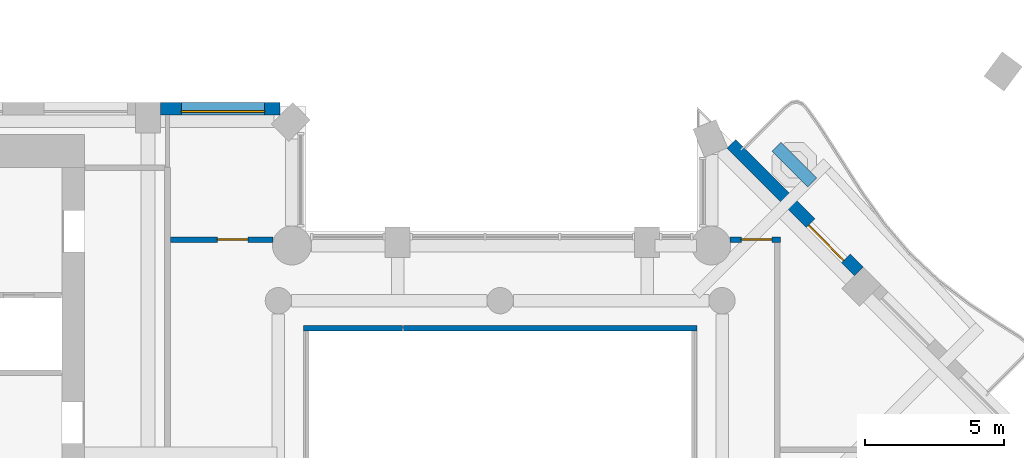
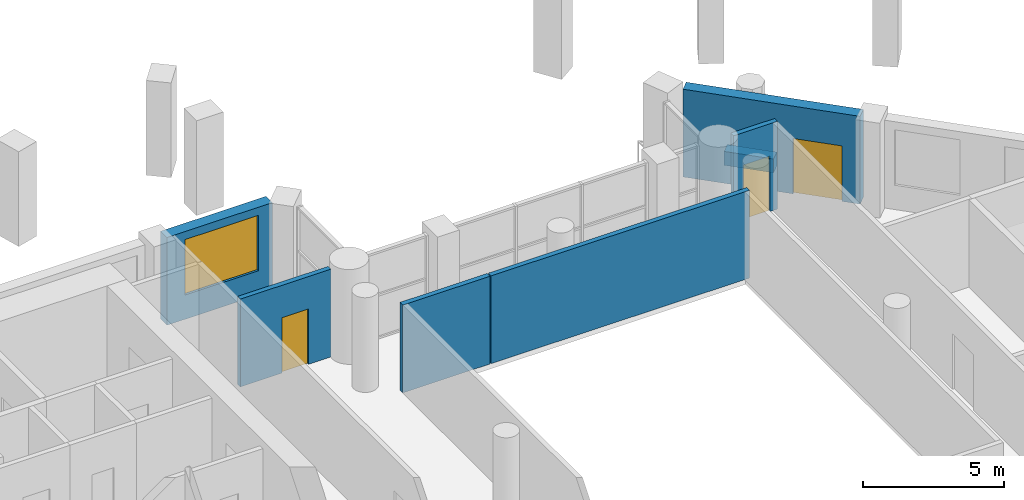
# One storey, part 7 of 15: 7 walls, 3 doors, 1 window, 4 openings.
"""IFC4 building model written with IfcOpenShell, lengths in metres."""

import ifcopenshell
import ifcopenshell.guid

model = None  # the IFC model being written
_history = None  # IfcOwnerHistory: only IFC2X3 demands one
_inside = {}  # id of a spatial element -> (the spatial element, [elements in it])
_under = {}  # id of a project, library or spatial element -> (it, [spatial elements below it])
_declared = {}  # id of a project -> (the project, [libraries it declares])
_typed = {}  # id of a type object -> (the type object, [elements of that type])
_made_of = {}  # id of a material, layer set ... -> (it, [elements and type objects made of it])


def new_model(schema):
    """Start an empty IFC model of exactly this schema.

    Asked for "IFC4X3", IfcOpenShell would pick the latest addendum, in which some entities
    have other attributes; the version numbers below select the first issue.
    IFC2X3 requires an IfcOwnerHistory on every rooted entity: one is made here for all.
    """
    global model, _history
    if schema == "IFC4X3":
        model = ifcopenshell.file(schema_version=(4, 3, 0, 0))
    else:
        model = ifcopenshell.file(schema=schema)
    _inside.clear()
    _under.clear()
    _declared.clear()
    _typed.clear()
    _made_of.clear()
    _history = None
    if model.schema == "IFC2X3":
        org = make("IfcOrganization", Name="unknown")
        user = make(
            "IfcPersonAndOrganization",
            ThePerson=make("IfcPerson", FamilyName="unknown"),
            TheOrganization=org,
        )
        app = make(
            "IfcApplication",
            ApplicationDeveloper=org,
            Version="unknown",
            ApplicationFullName="unknown",
            ApplicationIdentifier="unknown",
        )
        _history = make(
            "IfcOwnerHistory",
            OwningUser=user,
            OwningApplication=app,
            ChangeAction="ADDED",
            CreationDate=0,
        )
    return model


def make(cls, **values):
    """One entity of the class cls with the attributes given. An attribute that is None is left unset."""
    return model.create_entity(
        cls, **{name: value for name, value in values.items() if value is not None}
    )


def rooted(cls, **values):
    """An entity with a GlobalId (a new one), such as an element, a storey or a relation."""
    return make(cls, GlobalId=ifcopenshell.guid.new(), OwnerHistory=_history, **values)


def si_unit(unit_type, name, prefix=None):
    """IfcSIUnit, for example si_unit("LENGTHUNIT", "METRE", prefix="MILLI")."""
    return make("IfcSIUnit", UnitType=unit_type, Prefix=prefix, Name=name)


def assignment(units):
    """IfcUnitAssignment: the units of a project."""
    return None if units is None else make("IfcUnitAssignment", Units=units)


def point(xyz):
    """IfcCartesianPoint."""
    return None if xyz is None else make("IfcCartesianPoint", Coordinates=xyz)


def direction(xyz):
    """IfcDirection."""
    return None if xyz is None else make("IfcDirection", DirectionRatios=xyz)


def frame(location, z_axis=None, x_axis=None):
    """IfcAxis2Placement3D, a coordinate frame: its origin and axes. An axis left out is left unset."""
    return make(
        "IfcAxis2Placement3D",
        Location=point(location),
        Axis=direction(z_axis),
        RefDirection=direction(x_axis),
    )


def frame_2d(location, x_axis=None):
    """IfcAxis2Placement2D, a coordinate frame in the plane: its origin and x axis."""
    return make(
        "IfcAxis2Placement2D", Location=point(location), RefDirection=direction(x_axis)
    )


def origin():
    """The frame at (0, 0, 0) with its axes left unset."""
    return frame((0.0, 0.0, 0.0))


def place(relative_to, where):
    """IfcLocalPlacement: puts the frame where relative to a parent placement (None: the world)."""
    return make(
        "IfcLocalPlacement", PlacementRelTo=relative_to, RelativePlacement=where
    )


def context(
    kind, dimensions, precision=None, world=None, true_north=None, identifier=None
):
    """IfcGeometricRepresentationContext, for example the 3D "Model" context."""
    return make(
        "IfcGeometricRepresentationContext",
        ContextIdentifier=identifier,
        ContextType=kind,
        CoordinateSpaceDimension=dimensions,
        Precision=precision,
        WorldCoordinateSystem=world,
        TrueNorth=true_north,
    )


def subcontext(parent, identifier, kind, view, scale=None):
    """IfcGeometricRepresentationSubContext, for example "Body" below "Model"."""
    return make(
        "IfcGeometricRepresentationSubContext",
        ContextIdentifier=identifier,
        ContextType=kind,
        ParentContext=parent,
        TargetScale=scale,
        TargetView=view,
    )


def project(units=None, contexts=None):
    """IfcProject with its units and contexts."""
    return rooted(
        "IfcProject",
        Name="project",
        RepresentationContexts=contexts,
        UnitsInContext=assignment(units),
    )


def spatial(cls, under=None, at=None, **own):
    """A site, building, storey or space (cls), placed at a placement, below another one or the project."""
    s = rooted(cls, ObjectPlacement=at, **own)
    if under is not None:
        _under.setdefault(under.id(), (under, []))[1].append(s)
    return s


def profile(cls, at=None, kind="AREA", **sizes):
    """A parametric profile (cls). Its sizes go by their IFC names, for example OverallWidth=200.0."""
    return make(cls, ProfileType=kind, Position=at, **sizes)


def rectangle(**sizes):
    """IfcRectangleProfileDef."""
    return profile("IfcRectangleProfileDef", **sizes)


def extrude(swept, where, along, depth):
    """IfcExtrudedAreaSolid: the profile swept, set in the frame where, extruded along a direction by depth."""
    return make(
        "IfcExtrudedAreaSolid",
        SweptArea=swept,
        Position=where,
        ExtrudedDirection=direction(along),
        Depth=depth,
    )


def shape(context_of_items, identifier, shape_type, items):
    """IfcShapeRepresentation: the items that make up one representation, for example the "Body"."""
    return make(
        "IfcShapeRepresentation",
        ContextOfItems=context_of_items,
        RepresentationIdentifier=identifier,
        RepresentationType=shape_type,
        Items=items,
    )


def material(Name=None, Category=None):
    """IfcMaterial."""
    return make("IfcMaterial", Name=Name, Category=Category)


def layer(
    of_material, thickness, ventilated=None, Name=None, Category=None, Priority=None
):
    """IfcMaterialLayer: one layer of a wall or slab, of a material (None: an air gap)."""
    return make(
        "IfcMaterialLayer",
        Material=of_material,
        LayerThickness=thickness,
        IsVentilated=ventilated,
        Name=Name,
        Category=Category,
        Priority=Priority,
    )


def layer_set(layers, Name=None):
    """IfcMaterialLayerSet."""
    return make("IfcMaterialLayerSet", MaterialLayers=layers, LayerSetName=Name)


def made_of(thing, what):
    """Note that an element or type object is made of a material, layer set ...; save() writes the relation."""
    if what is not None:
        _made_of.setdefault(what.id(), (what, []))[1].append(thing)
    return thing


def type_object(cls, material=None, **own):
    """A type object (cls), such as IfcWallType, which elements share."""
    return made_of(rooted(cls, **own), material)


def element(
    cls,
    number,
    at=None,
    inside=None,
    cuts=None,
    type_object=None,
    material=None,
    context=None,
    identifier="Body",
    shape_type=None,
    held_by="IfcProductDefinitionShape",
    body=None,
    shapes=None,
    **own,
):
    """One element of the class cls, such as IfcWall. Its Tag is "e" and its number.

    at: its placement. inside: the storey or other place that contains it. cuts: it is an
    opening in that element (IfcRelVoidsElement). A single representation is given by context,
    identifier, shape_type and body (its items); several are given by shapes. held_by: the class
    of the entity that holds the representations. save() writes the other relations.
    """
    e = rooted(cls, Tag="e%d" % number, ObjectPlacement=at, **own)
    if body is not None:
        shapes = [shape(context, identifier, shape_type, body)]
    if shapes is not None:
        e.Representation = make(held_by, Representations=shapes)
    if inside is not None:
        _inside.setdefault(inside.id(), (inside, []))[1].append(e)
    if cuts is not None:
        rooted(
            "IfcRelVoidsElement", RelatingBuildingElement=cuts, RelatedOpeningElement=e
        )
    if type_object is not None:
        _typed.setdefault(type_object.id(), (type_object, []))[1].append(e)
    return made_of(e, material)


def fill(opening, filler):
    """IfcRelFillsElement: the door or window that sits in an opening."""
    return rooted(
        "IfcRelFillsElement",
        RelatingOpeningElement=opening,
        RelatedBuildingElement=filler,
    )


def aggregate(whole, parts):
    """IfcRelAggregates: a whole, such as a stair, and the parts it consists of."""
    return rooted("IfcRelAggregates", RelatingObject=whole, RelatedObjects=parts)


def save(model, path):
    """Write the relations noted so far, then the file.

    IfcRelAggregates (storeys below a building ...), IfcRelContainedInSpatialStructure (elements
    in a storey), IfcRelDefinesByType, IfcRelAssociatesMaterial and IfcRelDeclares: one each for
    every whole, place, type object, material and project.
    """
    for whole, parts in _under.values():
        aggregate(whole, parts)
    for where, things in _inside.values():
        rooted(
            "IfcRelContainedInSpatialStructure",
            RelatedElements=things,
            RelatingStructure=where,
        )
    for kind, things in _typed.values():
        rooted("IfcRelDefinesByType", RelatedObjects=things, RelatingType=kind)
    for what, things in _made_of.values():
        rooted("IfcRelAssociatesMaterial", RelatedObjects=things, RelatingMaterial=what)
    for by, libraries in _declared.values():
        rooted("IfcRelDeclares", RelatingContext=by, RelatedDefinitions=libraries)
    model.write(path)


model = new_model("IFC4")

# Units and contexts
model_context = context("Model", 3, precision=1e-05, world=origin(), true_north=direction((0.0, 1.0)))
body_context = subcontext(model_context, "Body", "Model", "MODEL_VIEW")
ifc_project = project(units=[si_unit("LENGTHUNIT", "METRE"), si_unit("AREAUNIT", "SQUARE_METRE"), si_unit("VOLUMEUNIT", "CUBIC_METRE"), si_unit("PLANEANGLEUNIT", "RADIAN"), si_unit("MASSUNIT", "GRAM", prefix="KILO")], contexts=[model_context])

# Site, building, storey
site_placement = place(None, origin())
site = spatial("IfcSite", under=ifc_project, at=site_placement, CompositionType="ELEMENT")
building_placement = place(site_placement, origin())
building = spatial("IfcBuilding", under=site, at=building_placement, Name="Cypress Arch Tower", CompositionType="ELEMENT")
storey_placement = place(building_placement, frame((0.0, 0.0, 176.89990234375)))
storey = spatial("IfcBuildingStorey", under=building, at=storey_placement, Name="L38", CompositionType="ELEMENT", Elevation=176.89990234375)

# Wall
ifc_material_1 = material(Name="Concrete C40/50, waterproofed", Category="concrete")
ifc_layer_1 = layer(ifc_material_1, 0.449951171875)
ifc_layer_set_1 = layer_set([ifc_layer_1], Name="Balcony planter wall PW450")
wall_type_1 = type_object("IfcWallType", Name="Balcony planter wall PW450", PredefinedType="SOLIDWALL", material=ifc_layer_set_1)
wall_1_placement = place(storey_placement, frame((12.250732421875, 14.263427734375, 0.0), z_axis=(0.0, 0.0, 1.0), x_axis=(-0.707039709166, 0.707173846846, 0.0)))
element("IfcWall", 1, at=wall_1_placement, inside=storey, type_object=wall_type_1, Name="Balcony planter wall L38-B05.1", PredefinedType="SOLIDWALL", context=body_context, shape_type="SweptSolid", body=[
    extrude(rectangle(XDim=1.820068359375, YDim=0.449951171875, at=frame_2d((0.91015625, 0.0))), origin(), (0.0, 0.0, 1.0), 0.60009765625),
])

# Wall, opening, door
ifc_material_2 = material(Name="Brick (red buff blend)", Category="masonry")
ifc_layer_2 = layer(ifc_material_2, 0.449951171875)
ifc_layer_set_2 = layer_set([ifc_layer_2], Name="Brick pier and spandrel wall BW450")
wall_type_2 = type_object("IfcWallType", Name="Brick pier and spandrel wall BW450", PredefinedType="SOLIDWALL", material=ifc_layer_set_2)
wall_2_placement = place(storey_placement, frame((13.94091796875, 11.052978515625, 0.0), z_axis=(0.0, 0.0, 1.0), x_axis=(-0.707106781187, 0.707106781187, 0.0)))
wall_2 = element("IfcWall", 2, at=wall_2_placement, inside=storey, type_object=wall_type_2, Name="Brick wall L38 B05.1", PredefinedType="SOLIDWALL", context=body_context, shape_type="SweptSolid", body=[
    extrude(rectangle(XDim=6.505126953125, YDim=0.449951171875, at=frame_2d((3.25244140625, 0.0))), origin(), (0.0, 0.0, 1.0), 3.800048828125),
])
opening_1_placement = place(wall_2_placement, frame((0.665283203125, 0.0, 0.0)))
opening_1 = element("IfcOpeningElement", 3, at=opening_1_placement, cuts=wall_2, Name="Opening D-L38-B05.1.1", PredefinedType="OPENING", context=body_context, shape_type="SweptSolid", body=[
    extrude(rectangle(XDim=1.800048828125, YDim=2.39990234375, at=frame_2d((0.89990234375, 1.199951171875))), frame((0.0, 0.23486328125, 0.0), z_axis=(0.0, -1.0, 0.0), x_axis=(1.0, 0.0, 0.0)), (0.0, 0.0, 1.0), 0.469970703125),
])
ifc_material_3 = material(Name="Anodised aluminium, bronze finish, laminated low-emissivity double glazing, large-missile impact rated", Category="aluminium")
door_type_1 = type_object("IfcDoorType", Name="Balcony sliding door 1800x2400", OperationType="SLIDING_TO_LEFT", PredefinedType="DOOR", material=ifc_material_3)
door_1_placement = place(opening_1_placement, origin())
door_1 = element("IfcDoor", 4, at=door_1_placement, inside=storey, type_object=door_type_1, Name="Balcony door L38 B05.1.1", OperationType="SLIDING_TO_LEFT", OverallHeight=2.39990234375, OverallWidth=1.800048828125, PredefinedType="DOOR", context=body_context, shape_type="SweptSolid", body=[
    extrude(rectangle(XDim=1.800048828125, YDim=2.39990234375, at=frame_2d((0.89990234375, 1.199951171875))), frame((0.0, 0.1298828125, 0.0), z_axis=(0.0, -1.0, 0.0), x_axis=(1.0, 0.0, 0.0)), (0.0, 0.0, 1.0), 0.050048828125),
])
fill(opening_1, door_1)

# Wall, opening, window
wall_3_placement = place(storey_placement, frame((-6.936279296875, 16.925048828125, 0.0), z_axis=(0.0, 0.0, 1.0), x_axis=(-1.0, 0.0, 0.0)))
wall_3 = element("IfcWall", 5, at=wall_3_placement, inside=storey, type_object=wall_type_2, Name="Brick wall L38 B09.0", PredefinedType="SOLIDWALL", context=body_context, shape_type="SweptSolid", body=[
    extrude(rectangle(XDim=4.313720703125, YDim=0.449951171875, at=frame_2d((2.15673828125, 0.0))), origin(), (0.0, 0.0, 1.0), 3.800048828125),
])
opening_2_placement = place(wall_3_placement, frame((0.563720703125, 0.0, 1.050048828125)))
opening_2 = element("IfcOpeningElement", 6, at=opening_2_placement, cuts=wall_3, Name="Opening W300O", PredefinedType="OPENING", context=body_context, shape_type="SweptSolid", body=[
    extrude(rectangle(XDim=3.0, YDim=2.39990234375, at=frame_2d((1.5, 1.199951171875))), frame((0.0, 0.23486328125, 0.0), z_axis=(0.0, -1.0, 0.0), x_axis=(1.0, 0.0, 0.0)), (0.0, 0.0, 1.0), 0.469970703125),
])
ifc_material_4 = material(Name="Anodised aluminium, bronze finish, clear low-emissivity double glazing", Category="aluminium")
window_type = type_object("IfcWindowType", Name="Window Office 3000x2400", PartitioningType="SINGLE_PANEL", PredefinedType="WINDOW", material=ifc_material_4)
window_placement = place(opening_2_placement, origin())
window = element("IfcWindow", 7, at=window_placement, inside=storey, type_object=window_type, Name="Window L38 B09.0.1", OverallHeight=2.39990234375, OverallWidth=3.0, PartitioningType="SINGLE_PANEL", PredefinedType="WINDOW", context=body_context, shape_type="SweptSolid", body=[
    extrude(rectangle(XDim=3.0, YDim=2.39990234375, at=frame_2d((1.5, 1.199951171875))), frame((0.0, 0.135009765625, 0.0), z_axis=(0.0, -1.0, 0.0), x_axis=(1.0, 0.0, 0.0)), (0.0, 0.0, 1.0), 0.06005859375),
])
fill(opening_2, window)

# Wall, opening, door
ifc_material_5 = material(Name="Concrete blockwork, plastered, rated", Category="masonry")
ifc_layer_3 = layer(ifc_material_5, 0.199951171875)
ifc_layer_set_3 = layer_set([ifc_layer_3], Name="Corridor wall FW200")
wall_type_3 = type_object("IfcWallType", Name="Corridor wall FW200", PredefinedType="PARTITIONING", material=ifc_layer_set_3)
wall_4_placement = place(storey_placement, frame((-10.89990234375, 12.199951171875, 0.0), z_axis=(0.0, 0.0, 1.0), x_axis=(1.0, 0.0, 0.0)))
wall_4 = element("IfcWall", 8, at=wall_4_placement, inside=storey, type_object=wall_type_3, Name="Corridor wall", PredefinedType="PARTITIONING", context=body_context, shape_type="SweptSolid", body=[
    extrude(rectangle(XDim=3.7041015625, YDim=0.199951171875, at=frame_2d((1.85205078125, 0.0))), origin(), (0.0, 0.0, 1.0), 3.800048828125),
])
opening_3_placement = place(wall_4_placement, frame((1.699951171875, 0.0, 0.0)))
opening_3 = element("IfcOpeningElement", 9, at=opening_3_placement, cuts=wall_4, Name="Opening D01", PredefinedType="OPENING", context=body_context, shape_type="SweptSolid", body=[
    extrude(rectangle(XDim=1.10009765625, YDim=2.39990234375, at=frame_2d((0.550048828125, 1.199951171875))), frame((0.0, 0.10986328125, 0.0), z_axis=(0.0, -1.0, 0.0), x_axis=(1.0, 0.0, 0.0)), (0.0, 0.0, 1.0), 0.219970703125),
])
ifc_material_6 = material(Name="Timber flush door, fire resisting, self-closing", Category="wood")
door_type_2 = type_object("IfcDoorType", Name="Unit entrance door D01 1100x2400", OperationType="SINGLE_SWING_LEFT", PredefinedType="DOOR", material=ifc_material_6)
door_2_placement = place(opening_3_placement, origin())
door_2 = element("IfcDoor", 10, at=door_2_placement, inside=storey, type_object=door_type_2, Name="Unit entrance door", OperationType="SINGLE_SWING_RIGHT", OverallHeight=2.39990234375, OverallWidth=1.10009765625, PredefinedType="DOOR", context=body_context, shape_type="SweptSolid", body=[
    extrude(rectangle(XDim=1.10009765625, YDim=2.39990234375, at=frame_2d((0.550048828125, 1.199951171875))), frame((0.0, 0.02490234375, 0.0), z_axis=(0.0, -1.0, 0.0), x_axis=(1.0, 0.0, 0.0)), (0.0, 0.0, 1.0), 0.050048828125),
])
fill(opening_3, door_2)

# Walls
wall_5_placement = place(storey_placement, frame((-6.10009765625, 9.0, 0.0), z_axis=(0.0, 0.0, 1.0), x_axis=(1.0, 0.0, 0.0)))
element("IfcWall", 11, at=wall_5_placement, inside=storey, type_object=wall_type_3, Name="Corridor wall", PredefinedType="PARTITIONING", context=body_context, shape_type="SweptSolid", body=[
    extrude(rectangle(XDim=3.580078125, YDim=0.199951171875, at=frame_2d((1.7900390625, 0.0))), origin(), (0.0, 0.0, 1.0), 3.800048828125),
])
wall_6_placement = place(storey_placement, frame((-2.47998046875, 9.0, 0.0), z_axis=(0.0, 0.0, 1.0), x_axis=(1.0, 0.0, 0.0)))
element("IfcWall", 12, at=wall_6_placement, inside=storey, type_object=wall_type_3, Name="Corridor wall", PredefinedType="PARTITIONING", context=body_context, shape_type="SweptSolid", body=[
    extrude(rectangle(XDim=10.580078125, YDim=0.199951171875, at=frame_2d((5.2900390625, 0.0))), origin(), (0.0, 0.0, 1.0), 3.800048828125),
])

# Wall, opening, door
wall_7_placement = place(storey_placement, frame((9.295654296875, 12.199951171875, 0.0), z_axis=(0.0, 0.0, 1.0), x_axis=(1.0, 0.0, 0.0)))
wall_7 = element("IfcWall", 13, at=wall_7_placement, inside=storey, type_object=wall_type_3, Name="Corridor wall", PredefinedType="PARTITIONING", context=body_context, shape_type="SweptSolid", body=[
    extrude(rectangle(XDim=1.804443359375, YDim=0.199951171875, at=frame_2d((0.90234375, 0.0))), origin(), (0.0, 0.0, 1.0), 3.800048828125),
])
opening_4_placement = place(wall_7_placement, frame((0.39990234375, 0.0, 0.0)))
opening_4 = element("IfcOpeningElement", 14, at=opening_4_placement, cuts=wall_7, Name="Opening D01", PredefinedType="OPENING", context=body_context, shape_type="SweptSolid", body=[
    extrude(rectangle(XDim=1.10009765625, YDim=2.39990234375, at=frame_2d((0.550048828125, 1.199951171875))), frame((0.0, 0.10986328125, 0.0), z_axis=(0.0, -1.0, 0.0), x_axis=(1.0, 0.0, 0.0)), (0.0, 0.0, 1.0), 0.219970703125),
])
door_3_placement = place(opening_4_placement, origin())
door_3 = element("IfcDoor", 15, at=door_3_placement, inside=storey, type_object=door_type_2, Name="Unit entrance door", OperationType="SINGLE_SWING_LEFT", OverallHeight=2.39990234375, OverallWidth=1.10009765625, PredefinedType="DOOR", context=body_context, shape_type="SweptSolid", body=[
    extrude(rectangle(XDim=1.10009765625, YDim=2.39990234375, at=frame_2d((0.550048828125, 1.199951171875))), frame((0.0, 0.02490234375, 0.0), z_axis=(0.0, -1.0, 0.0), x_axis=(1.0, 0.0, 0.0)), (0.0, 0.0, 1.0), 0.050048828125),
])
fill(opening_4, door_3)

save(model, "model.ifc")
